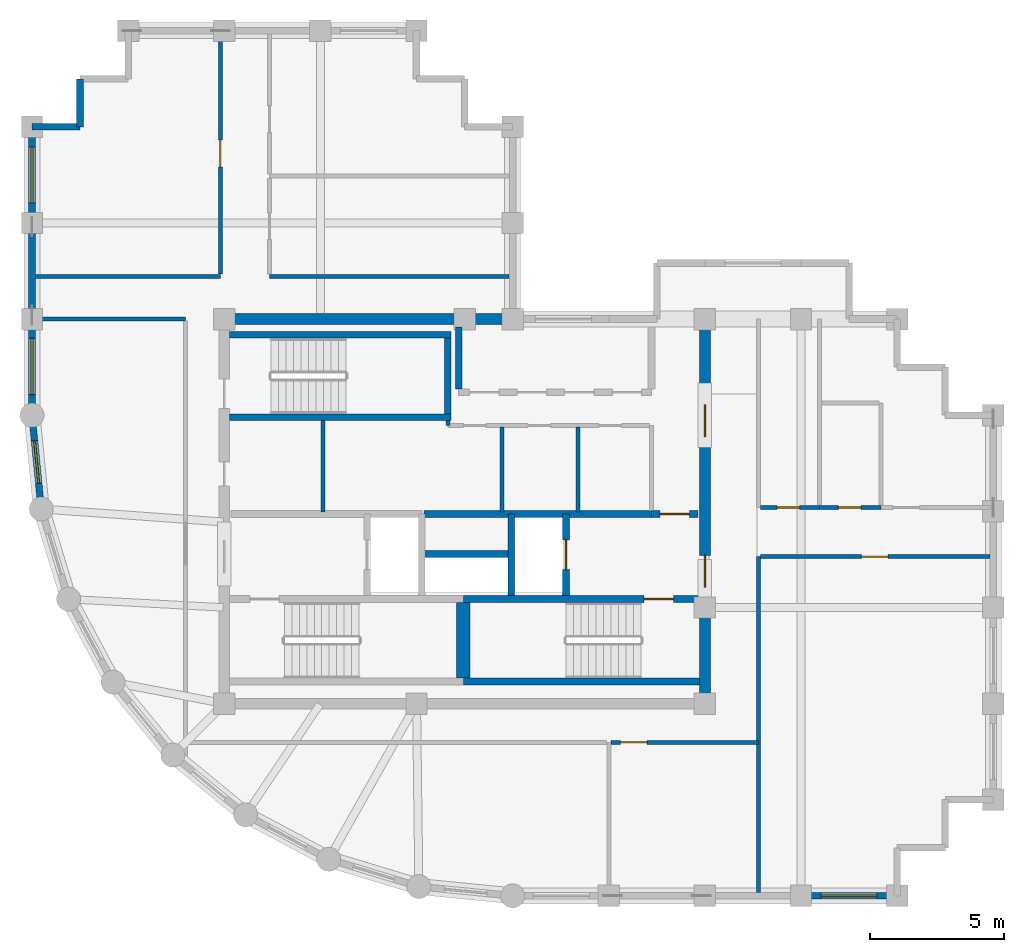
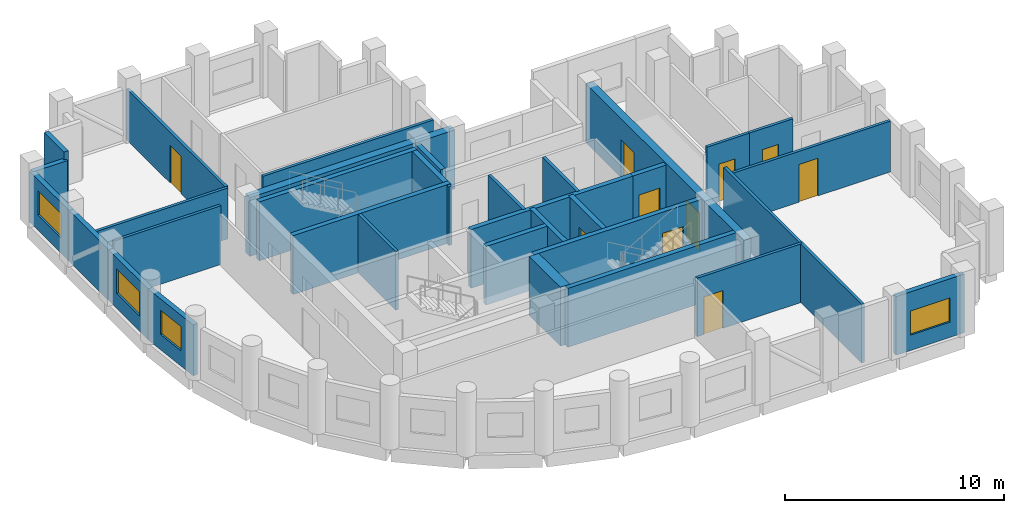
# One storey, part 3 of 6: 34 walls, 10 doors, 4 windows, 14 openings.
"""IFC4 building model written with IfcOpenShell, lengths in metres."""

from ifc_helpers import new_model, si_unit, direction, frame, frame_2d, origin, place, context, subcontext, project, spatial, rectangle, extrude, material, layer, layer_set, type_object, element, fill, save


model = new_model("IFC4")

# Units and contexts
model_context = context("Model", 3, precision=1e-05, world=origin(), true_north=direction((0.0, 1.0)))
body_context = subcontext(model_context, "Body", "Model", "MODEL_VIEW")
ifc_project = project(units=[si_unit("LENGTHUNIT", "METRE"), si_unit("AREAUNIT", "SQUARE_METRE"), si_unit("VOLUMEUNIT", "CUBIC_METRE"), si_unit("PLANEANGLEUNIT", "RADIAN"), si_unit("MASSUNIT", "GRAM", prefix="KILO")], contexts=[model_context])

# Site, building, storey
site_placement = place(None, origin())
site = spatial("IfcSite", under=ifc_project, at=site_placement, CompositionType="ELEMENT")
building_placement = place(site_placement, origin())
building = spatial("IfcBuilding", under=site, at=building_placement, Name="Solnavia Interchange Tower", CompositionType="ELEMENT")
storey_placement = place(building_placement, frame((0.0, 0.0, 246.199951171875)))
storey = spatial("IfcBuildingStorey", under=building, at=storey_placement, Name="L62", CompositionType="ELEMENT", Elevation=246.199951171875)

# Wall, opening, window
ifc_material_1 = material(Name="Concrete C40/50", Category="concrete")
ifc_layer_1 = layer(ifc_material_1, 0.25)
ifc_layer_set_1 = layer_set([ifc_layer_1], Name="Concrete C40/50")
wall_type_1 = type_object("IfcWallType", Name="Wall-ExtSpandrel-250", PredefinedType="STANDARD", material=ifc_layer_set_1)
wall_1_placement = place(storey_placement, frame((39.60009765625, 3.60009765625, 0.0), z_axis=(0.0, 0.0, 1.0), x_axis=(-1.0, 0.0, 0.0)))
wall_1 = element("IfcWall", 1, at=wall_1_placement, inside=storey, type_object=wall_type_1, Name="EXW-L62-04 Exterior precast spandrel wall", PredefinedType="STANDARD", context=body_context, shape_type="SweptSolid", body=[
    extrude(rectangle(XDim=3.60009765625, YDim=0.25, at=frame_2d((1.800048828125, 0.0))), origin(), (0.0, 0.0, 1.0), 3.26513671875),
])
opening_1_placement = place(wall_1_placement, frame((0.75, 0.0, 0.85009765625)))
opening_1 = element("IfcOpeningElement", 2, at=opening_1_placement, cuts=wall_1, Name="Opening WIN-01", PredefinedType="OPENING", context=body_context, shape_type="SweptSolid", body=[
    extrude(rectangle(XDim=2.10009765625, YDim=1.35009765625, at=frame_2d((1.050048828125, 0.675048828125))), frame((0.0, 0.135009765625, 0.0), z_axis=(0.0, -1.0, 0.0), x_axis=(1.0, 0.0, 0.0)), (0.0, 0.0, 1.0), 0.27001953125),
])
ifc_material_2 = material(Name="Thermal-Break Aluminium & Low-E Glass", Category="aluminium")
window_type_1 = type_object("IfcWindowType", Name="Window-Ribbon-2100x1350", PartitioningType="SINGLE_PANEL", PredefinedType="WINDOW", material=ifc_material_2)
window_1_placement = place(opening_1_placement, origin())
window_1 = element("IfcWindow", 3, at=window_1_placement, inside=storey, type_object=window_type_1, Name="WIN-L62-04 Facade ribbon window", OverallHeight=1.35009765625, OverallWidth=2.10009765625, PartitioningType="SINGLE_PANEL", PredefinedType="WINDOW", context=body_context, shape_type="SweptSolid", body=[
    extrude(rectangle(XDim=2.10009765625, YDim=1.35009765625, at=frame_2d((1.050048828125, 0.675048828125))), frame((0.0, 0.030029296875, 0.0), z_axis=(0.0, -1.0, 0.0), x_axis=(1.0, 0.0, 0.0)), (0.0, 0.0, 1.0), 0.06005859375),
])
fill(opening_1, window_1)

# Walls
wall_2_placement = place(storey_placement, frame((9.0, 32.39990234375, 0.0), z_axis=(0.0, 0.0, 1.0), x_axis=(0.0, 1.0, 0.0)))
element("IfcWall", 4, at=wall_2_placement, inside=storey, type_object=wall_type_1, Name="EXW-L62-36 Exterior precast spandrel wall", PredefinedType="STANDARD", context=body_context, shape_type="SweptSolid", body=[
    extrude(rectangle(XDim=1.800048828125, YDim=0.25, at=frame_2d((0.89990234375, 0.0))), origin(), (0.0, 0.0, 1.0), 3.26513671875),
])
wall_3_placement = place(storey_placement, frame((7.199951171875, 32.39990234375, 0.0), z_axis=(0.0, 0.0, 1.0), x_axis=(1.0, 0.0, 0.0)))
element("IfcWall", 5, at=wall_3_placement, inside=storey, type_object=wall_type_1, Name="EXW-L62-37 Exterior precast spandrel wall", PredefinedType="STANDARD", context=body_context, shape_type="SweptSolid", body=[
    extrude(rectangle(XDim=1.800048828125, YDim=0.25, at=frame_2d((0.89990234375, 0.0))), origin(), (0.0, 0.0, 1.0), 2.830078125),
])

# Wall, opening, window
wall_4_placement = place(storey_placement, frame((7.199951171875, 28.800048828125, 0.0), z_axis=(0.0, 0.0, 1.0), x_axis=(0.0, 1.0, 0.0)))
wall_4 = element("IfcWall", 6, at=wall_4_placement, inside=storey, type_object=wall_type_1, Name="EXW-L62-38 Exterior precast spandrel wall", PredefinedType="STANDARD", context=body_context, shape_type="SweptSolid", body=[
    extrude(rectangle(XDim=3.599853515625, YDim=0.25, at=frame_2d((1.7998046875, 0.0))), origin(), (0.0, 0.0, 1.0), 2.830078125),
])
opening_2_placement = place(wall_4_placement, frame((0.75, 0.0, 0.85009765625)))
opening_2 = element("IfcOpeningElement", 7, at=opening_2_placement, cuts=wall_4, Name="Opening WIN-01", PredefinedType="OPENING", context=body_context, shape_type="SweptSolid", body=[
    extrude(rectangle(XDim=2.10009765625, YDim=1.35009765625, at=frame_2d((1.050048828125, 0.675048828125))), frame((0.0, 0.135009765625, 0.0), z_axis=(0.0, -1.0, 0.0), x_axis=(1.0, 0.0, 0.0)), (0.0, 0.0, 1.0), 0.27001953125),
])
window_2_placement = place(opening_2_placement, origin())
window_2 = element("IfcWindow", 8, at=window_2_placement, inside=storey, type_object=window_type_1, Name="WIN-L62-38 Facade ribbon window", OverallHeight=1.35009765625, OverallWidth=2.10009765625, PartitioningType="SINGLE_PANEL", PredefinedType="WINDOW", context=body_context, shape_type="SweptSolid", body=[
    extrude(rectangle(XDim=2.10009765625, YDim=1.35009765625, at=frame_2d((1.050048828125, 0.675048828125))), frame((0.0, 0.030029296875, 0.0), z_axis=(0.0, -1.0, 0.0), x_axis=(1.0, 0.0, 0.0)), (0.0, 0.0, 1.0), 0.06005859375),
])
fill(opening_2, window_2)

# Wall
wall_5_placement = place(storey_placement, frame((7.199951171875, 25.199951171875, 0.0), z_axis=(0.0, 0.0, 1.0), x_axis=(0.0, 1.0, 0.0)))
element("IfcWall", 9, at=wall_5_placement, inside=storey, type_object=wall_type_1, Name="EXW-L62-39 Exterior precast spandrel wall", PredefinedType="STANDARD", context=body_context, shape_type="SweptSolid", body=[
    extrude(rectangle(XDim=3.60009765625, YDim=0.25, at=frame_2d((1.800048828125, 0.0))), origin(), (0.0, 0.0, 1.0), 2.830078125),
])

# Wall, opening, window
wall_6_placement = place(storey_placement, frame((7.199951171875, 21.60009765625, 0.0), z_axis=(0.0, 0.0, 1.0), x_axis=(0.0, 1.0, 0.0)))
wall_6 = element("IfcWall", 10, at=wall_6_placement, inside=storey, type_object=wall_type_1, Name="EXW-L62-40 Exterior precast spandrel wall", PredefinedType="STANDARD", context=body_context, shape_type="SweptSolid", body=[
    extrude(rectangle(XDim=3.599853515625, YDim=0.25, at=frame_2d((1.7998046875, 0.0))), origin(), (0.0, 0.0, 1.0), 2.830078125),
])
opening_3_placement = place(wall_6_placement, frame((0.77490234375, 0.0, 0.85009765625)))
opening_3 = element("IfcOpeningElement", 11, at=opening_3_placement, cuts=wall_6, Name="Opening WIN-01", PredefinedType="OPENING", context=body_context, shape_type="SweptSolid", body=[
    extrude(rectangle(XDim=2.10009765625, YDim=1.35009765625, at=frame_2d((1.050048828125, 0.675048828125))), frame((0.0, 0.135009765625, 0.0), z_axis=(0.0, -1.0, 0.0), x_axis=(1.0, 0.0, 0.0)), (0.0, 0.0, 1.0), 0.27001953125),
])
window_3_placement = place(opening_3_placement, origin())
window_3 = element("IfcWindow", 12, at=window_3_placement, inside=storey, type_object=window_type_1, Name="WIN-L62-40 Facade ribbon window", OverallHeight=1.35009765625, OverallWidth=2.10009765625, PartitioningType="SINGLE_PANEL", PredefinedType="WINDOW", context=body_context, shape_type="SweptSolid", body=[
    extrude(rectangle(XDim=2.10009765625, YDim=1.35009765625, at=frame_2d((1.050048828125, 0.675048828125))), frame((0.0, 0.030029296875, 0.0), z_axis=(0.0, -1.0, 0.0), x_axis=(1.0, 0.0, 0.0)), (0.0, 0.0, 1.0), 0.06005859375),
])
fill(opening_3, window_3)

wall_7_placement = place(storey_placement, frame((7.5458984375, 18.087890625, 0.0), z_axis=(0.0, 0.0, 1.0), x_axis=(-0.09802417461, 0.995184033831, 0.0)))
wall_7 = element("IfcWall", 13, at=wall_7_placement, inside=storey, type_object=wall_type_1, Name="EXW-L62-41 Exterior precast spandrel wall", PredefinedType="STANDARD", context=body_context, shape_type="SweptSolid", body=[
    extrude(rectangle(XDim=3.529296875, YDim=0.25, at=frame_2d((1.7646484375, 0.0))), origin(), (0.0, 0.0, 1.0), 2.830078125),
])
opening_4_placement = place(wall_7_placement, frame((0.965087890625, 0.0, 0.85009765625)))
opening_4 = element("IfcOpeningElement", 14, at=opening_4_placement, cuts=wall_7, Name="Opening WIN-04", PredefinedType="OPENING", context=body_context, shape_type="SweptSolid", body=[
    extrude(rectangle(XDim=1.60009765625, YDim=1.35009765625, at=frame_2d((0.800048828125, 0.675048828125))), frame((0.0, 0.135009765625, 0.0), z_axis=(0.0, -1.0, 0.0), x_axis=(1.0, 0.0, 0.0)), (0.0, 0.0, 1.0), 0.27001953125),
])
window_type_2 = type_object("IfcWindowType", Name="Window-Drum-1600x1350", PartitioningType="SINGLE_PANEL", PredefinedType="WINDOW", material=ifc_material_2)
window_4_placement = place(opening_4_placement, origin())
window_4 = element("IfcWindow", 15, at=window_4_placement, inside=storey, type_object=window_type_2, Name="WIN-L62-41 Facade ribbon window", OverallHeight=1.35009765625, OverallWidth=1.60009765625, PartitioningType="SINGLE_PANEL", PredefinedType="WINDOW", context=body_context, shape_type="SweptSolid", body=[
    extrude(rectangle(XDim=1.60009765625, YDim=1.35009765625, at=frame_2d((0.800048828125, 0.675048828125))), frame((0.0, 0.030029296875, 0.0), z_axis=(0.0, -1.0, 0.0), x_axis=(1.0, 0.0, 0.0)), (0.0, 0.0, 1.0), 0.06005859375),
])
fill(opening_4, window_4)

# Walls
ifc_material_3 = material(Name="Gypsum Plasterboard & Steel Stud", Category="steel")
ifc_layer_2 = layer(ifc_material_3, 0.14990234375)
ifc_layer_set_2 = layer_set([ifc_layer_2], Name="Gypsum Plasterboard & Steel Stud")
wall_type_2 = type_object("IfcWallType", Name="Wall-Partition-150", PredefinedType="PARTITIONING", material=ifc_layer_set_2)
wall_8_placement = place(storey_placement, frame((22.77490234375, 21.219970703125, 0.0), z_axis=(0.0, 0.0, 1.0), x_axis=(0.0, 1.0, 0.0)))
element("IfcWall", 16, at=wall_8_placement, inside=storey, type_object=wall_type_2, Name="CSW-L62-ST-TIE Core shaft wall", PredefinedType="PARTITIONING", context=body_context, shape_type="SweptSolid", body=[
    extrude(rectangle(XDim=0.175048828125, YDim=0.14990234375, at=frame_2d((0.08740234375, 0.0))), origin(), (0.0, 0.0, 1.0), 3.26513671875),
])
wall_9_placement = place(storey_placement, frame((18.10009765625, 17.97998046875, 0.0), z_axis=(0.0, 0.0, 1.0), x_axis=(0.0, 1.0, 0.0)))
element("IfcWall", 17, at=wall_9_placement, inside=storey, type_object=wall_type_2, Name="CSW-L62-M1 Core shaft wall", PredefinedType="PARTITIONING", context=body_context, shape_type="SweptSolid", body=[
    extrude(rectangle(XDim=3.419921875, YDim=0.14990234375, at=frame_2d((1.7099609375, 0.0))), origin(), (0.0, 0.0, 1.0), 3.26513671875),
])
for number, where, z_axis, x_axis, name in (
    (18, (24.800048828125, 17.97998046875, 0.0), (0.0, 0.0, 1.0), (0.0, 1.0, 0.0), "CSW-L62-M2 Core shaft wall"),
    (19, (27.64990234375, 17.97998046875, 0.0), (0.0, 0.0, 1.0), (0.0, 1.0, 0.0), "CSW-L62-M3 Core shaft wall"),
):
    element("IfcWall", number, at=place(storey_placement, frame(where, z_axis=z_axis, x_axis=x_axis)), inside=storey, type_object=wall_type_2, Name=name, PredefinedType="PARTITIONING", context=body_context, shape_type="SweptSolid", body=[
        extrude(rectangle(XDim=3.169921875, YDim=0.14990234375, at=frame_2d((1.5849609375, 0.0))), origin(), (0.0, 0.0, 1.0), 3.26513671875),
    ])
wall_10_placement = place(storey_placement, frame((7.3291015625, 25.199951171875, 0.0), z_axis=(0.0, 0.0, 1.0), x_axis=(1.0, 0.0, 0.0)))
element("IfcWall", 20, at=wall_10_placement, inside=storey, type_object=wall_type_2, Name="PTW-L62-07 Interior partition wall", PredefinedType="PARTITIONING", context=body_context, shape_type="SweptSolid", body=[
    extrude(rectangle(XDim=5.620849609375, YDim=0.14990234375, at=frame_2d((2.810546875, 0.0))), origin(), (0.0, 0.0, 1.0), 3.26513671875),
])

# Wall, opening, door
wall_11_placement = place(storey_placement, frame((28.87890625, 9.35009765625, 0.0), z_axis=(0.0, 0.0, 1.0), x_axis=(1.0, 0.0, 0.0)))
wall_11 = element("IfcWall", 21, at=wall_11_placement, inside=storey, type_object=wall_type_2, Name="PTW-L62-11 Interior partition wall", PredefinedType="PARTITIONING", context=body_context, shape_type="SweptSolid", body=[
    extrude(rectangle(XDim=5.52099609375, YDim=0.14990234375, at=frame_2d((2.760498046875, 0.0))), origin(), (0.0, 0.0, 1.0), 3.26513671875),
])
opening_5_placement = place(wall_11_placement, frame((0.360107421875, 0.0, 0.0)))
opening_5 = element("IfcOpeningElement", 22, at=opening_5_placement, cuts=wall_11, Name="Opening DR-07", PredefinedType="OPENING", context=body_context, shape_type="SweptSolid", body=[
    extrude(rectangle(XDim=1.0, YDim=2.10009765625, at=frame_2d((0.5, 1.050048828125))), frame((0.0, 0.0849609375, 0.0), z_axis=(0.0, -1.0, 0.0), x_axis=(1.0, 0.0, 0.0)), (0.0, 0.0, 1.0), 0.169921875),
])
ifc_material_4 = material(Name="Timber & Acoustic Glazed Office Door", Category="wood")
door_type_1 = type_object("IfcDoorType", Name="Door-Office-1000x2100", OperationType="SINGLE_SWING_RIGHT", PredefinedType="DOOR", material=ifc_material_4)
door_1_placement = place(opening_5_placement, origin())
door_1 = element("IfcDoor", 23, at=door_1_placement, inside=storey, type_object=door_type_1, Name="DR-L62-04 Interior room door", OperationType="SINGLE_SWING_LEFT", OverallHeight=2.10009765625, OverallWidth=1.0, PredefinedType="DOOR", context=body_context, shape_type="SweptSolid", body=[
    extrude(rectangle(XDim=1.0, YDim=2.10009765625, at=frame_2d((0.5, 1.050048828125))), frame((0.0, 0.02490234375, 0.0), z_axis=(0.0, -1.0, 0.0), x_axis=(1.0, 0.0, 0.0)), (0.0, 0.0, 1.0), 0.050048828125),
])
fill(opening_5, door_1)

# Wall
wall_12_placement = place(storey_placement, frame((34.39990234375, 3.72900390625, 0.0), z_axis=(0.0, 0.0, 1.0), x_axis=(0.0, 1.0, 0.0)))
element("IfcWall", 24, at=wall_12_placement, inside=storey, type_object=wall_type_2, Name="PTW-L62-12 Interior partition wall", PredefinedType="PARTITIONING", context=body_context, shape_type="SweptSolid", body=[
    extrude(rectangle(XDim=12.571044921875, YDim=0.14990234375, at=frame_2d((6.28564453125, 0.0))), origin(), (0.0, 0.0, 1.0), 3.26513671875),
])

# Wall, opening, door
wall_13_placement = place(storey_placement, frame((34.47900390625, 16.300048828125, 0.0), z_axis=(0.0, 0.0, 1.0), x_axis=(1.0, 0.0, 0.0)))
wall_13 = element("IfcWall", 25, at=wall_13_placement, inside=storey, type_object=wall_type_2, Name="PTW-L62-13 Interior partition wall", PredefinedType="PARTITIONING", context=body_context, shape_type="SweptSolid", body=[
    extrude(rectangle(XDim=8.592041015625, YDim=0.14990234375, at=frame_2d((4.2958984375, 0.0))), origin(), (0.0, 0.0, 1.0), 2.830078125),
])
opening_6_placement = place(wall_13_placement, frame((3.781005859375, 0.0, 0.0)))
opening_6 = element("IfcOpeningElement", 26, at=opening_6_placement, cuts=wall_13, Name="Opening DR-07", PredefinedType="OPENING", context=body_context, shape_type="SweptSolid", body=[
    extrude(rectangle(XDim=1.0, YDim=2.10009765625, at=frame_2d((0.5, 1.050048828125))), frame((0.0, 0.0849609375, 0.0), z_axis=(0.0, -1.0, 0.0), x_axis=(1.0, 0.0, 0.0)), (0.0, 0.0, 1.0), 0.169921875),
])
door_2_placement = place(opening_6_placement, origin())
door_2 = element("IfcDoor", 27, at=door_2_placement, inside=storey, type_object=door_type_1, Name="DR-L62-05 Interior room door", OperationType="SINGLE_SWING_LEFT", OverallHeight=2.10009765625, OverallWidth=1.0, PredefinedType="DOOR", context=body_context, shape_type="SweptSolid", body=[
    extrude(rectangle(XDim=1.0, YDim=2.10009765625, at=frame_2d((0.5, 1.050048828125))), frame((0.0, 0.02490234375, 0.0), z_axis=(0.0, -1.0, 0.0), x_axis=(1.0, 0.0, 0.0)), (0.0, 0.0, 1.0), 0.050048828125),
])
fill(opening_6, door_2)

# Wall
wall_14_placement = place(storey_placement, frame((7.3291015625, 26.800048828125, 0.0), z_axis=(0.0, 0.0, 1.0), x_axis=(1.0, 0.0, 0.0)))
element("IfcWall", 28, at=wall_14_placement, inside=storey, type_object=wall_type_2, Name="PTW-L62-15 Interior partition wall", PredefinedType="PARTITIONING", context=body_context, shape_type="SweptSolid", body=[
    extrude(rectangle(XDim=6.9208984375, YDim=0.14990234375, at=frame_2d((3.46044921875, 0.0))), origin(), (0.0, 0.0, 1.0), 2.830078125),
])

# Wall, opening, door
wall_15_placement = place(storey_placement, frame((14.25, 26.87890625, 0.0), z_axis=(0.0, 0.0, 1.0), x_axis=(0.0, 1.0, 0.0)))
wall_15 = element("IfcWall", 29, at=wall_15_placement, inside=storey, type_object=wall_type_2, Name="PTW-L62-16 Interior partition wall", PredefinedType="PARTITIONING", context=body_context, shape_type="SweptSolid", body=[
    extrude(rectangle(XDim=8.9921875, YDim=0.14990234375, at=frame_2d((4.49609375, 0.0))), origin(), (0.0, 0.0, 1.0), 2.830078125),
])
opening_7_placement = place(wall_15_placement, frame((4.02099609375, 0.0, 0.0)))
opening_7 = element("IfcOpeningElement", 30, at=opening_7_placement, cuts=wall_15, Name="Opening DR-07", PredefinedType="OPENING", context=body_context, shape_type="SweptSolid", body=[
    extrude(rectangle(XDim=1.0, YDim=2.10009765625, at=frame_2d((0.5, 1.050048828125))), frame((0.0, 0.0849609375, 0.0), z_axis=(0.0, -1.0, 0.0), x_axis=(1.0, 0.0, 0.0)), (0.0, 0.0, 1.0), 0.169921875),
])
door_3_placement = place(opening_7_placement, origin())
door_3 = element("IfcDoor", 31, at=door_3_placement, inside=storey, type_object=door_type_1, Name="DR-L62-07 Interior room door", OperationType="SINGLE_SWING_RIGHT", OverallHeight=2.10009765625, OverallWidth=1.0, PredefinedType="DOOR", context=body_context, shape_type="SweptSolid", body=[
    extrude(rectangle(XDim=1.0, YDim=2.10009765625, at=frame_2d((0.5, 1.050048828125))), frame((0.0, 0.02490234375, 0.0), z_axis=(0.0, -1.0, 0.0), x_axis=(1.0, 0.0, 0.0)), (0.0, 0.0, 1.0), 0.050048828125),
])
fill(opening_7, door_3)

# Walls
wall_16_placement = place(storey_placement, frame((16.10009765625, 26.800048828125, 0.0), z_axis=(0.0, 0.0, 1.0), x_axis=(1.0, 0.0, 0.0)))
element("IfcWall", 32, at=wall_16_placement, inside=storey, type_object=wall_type_2, Name="PTW-L62-17 Interior partition wall", PredefinedType="PARTITIONING", context=body_context, shape_type="SweptSolid", body=[
    extrude(rectangle(XDim=8.970947265625, YDim=0.14990234375, at=frame_2d((4.4853515625, 0.0))), origin(), (0.0, 0.0, 1.0), 2.830078125),
])
ifc_layer_3 = layer(ifc_material_1, 0.25)
ifc_layer_set_3 = layer_set([ifc_layer_3], Name="Concrete C40/50")
wall_type_3 = type_object("IfcWallType", Name="Wall-ShaftCore-250", PredefinedType="SHEAR", material=ifc_layer_set_3)
wall_17_placement = place(storey_placement, frame((23.35009765625, 11.625, 0.0), z_axis=(0.0, 0.0, 1.0), x_axis=(1.0, 0.0, 0.0)))
element("IfcWall", 33, at=wall_17_placement, inside=storey, type_object=wall_type_3, Name="SHW-L62-ST2S Core shear wall", PredefinedType="SHEAR", context=body_context, shape_type="SweptSolid", body=[
    extrude(rectangle(XDim=8.849853515625, YDim=0.25, at=frame_2d((4.4248046875, 0.0))), origin(), (0.0, 0.0, 1.0), 3.280029296875),
])

# Wall, opening, door
wall_18_placement = place(storey_placement, frame((23.35009765625, 14.715087890625, 0.0), z_axis=(0.0, 0.0, 1.0), x_axis=(1.0, 0.0, 0.0)))
wall_18 = element("IfcWall", 34, at=wall_18_placement, inside=storey, type_object=wall_type_3, Name="SHW-L62-ST2N Core shear wall", PredefinedType="SHEAR", context=body_context, shape_type="SweptSolid", body=[
    extrude(rectangle(XDim=8.849853515625, YDim=0.25, at=frame_2d((4.4248046875, 0.0))), origin(), (0.0, 0.0, 1.0), 3.280029296875),
])
opening_8_placement = place(wall_18_placement, frame((6.77490234375, 0.0, 0.0)))
opening_8 = element("IfcOpeningElement", 35, at=opening_8_placement, cuts=wall_18, Name="Opening DR-01", PredefinedType="OPENING", context=body_context, shape_type="SweptSolid", body=[
    extrude(rectangle(XDim=1.10009765625, YDim=2.10009765625, at=frame_2d((0.550048828125, 1.050048828125))), frame((0.0, 0.135009765625, 0.0), z_axis=(0.0, -1.0, 0.0), x_axis=(1.0, 0.0, 0.0)), (0.0, 0.0, 1.0), 0.27001953125),
])
ifc_material_5 = material(Name="Steel Fire-Rated Leaf & Frame", Category="steel")
door_type_2 = type_object("IfcDoorType", Name="Door-StairFire-1100x2100", OperationType="SINGLE_SWING_LEFT", PredefinedType="DOOR", material=ifc_material_5)
door_4_placement = place(opening_8_placement, origin())
door_4 = element("IfcDoor", 36, at=door_4_placement, inside=storey, type_object=door_type_2, Name="DR-L62-ST2 Core fire door", OperationType="SINGLE_SWING_LEFT", OverallHeight=2.10009765625, OverallWidth=1.10009765625, PredefinedType="DOOR", context=body_context, shape_type="SweptSolid", body=[
    extrude(rectangle(XDim=1.10009765625, YDim=2.10009765625, at=frame_2d((0.550048828125, 1.050048828125))), frame((0.0, 0.02490234375, 0.0), z_axis=(0.0, -1.0, 0.0), x_axis=(1.0, 0.0, 0.0)), (0.0, 0.0, 1.0), 0.050048828125),
])
fill(opening_8, door_4)

# Walls
for number, where, z_axis, x_axis, name in (
    (37, (14.60009765625, 21.52490234375, 0.0), (0.0, 0.0, 1.0), (1.0, 0.0, 0.0), "SHW-L62-ST3S Core shear wall"),
    (38, (14.60009765625, 24.614990234375, 0.0), (0.0, 0.0, 1.0), (1.0, 0.0, 0.0), "SHW-L62-ST3N Core shear wall"),
):
    element("IfcWall", number, at=place(storey_placement, frame(where, z_axis=z_axis, x_axis=x_axis)), inside=storey, type_object=wall_type_3, Name=name, PredefinedType="SHEAR", context=body_context, shape_type="SweptSolid", body=[
        extrude(rectangle(XDim=8.2998046875, YDim=0.25, at=frame_2d((4.14990234375, 0.0))), origin(), (0.0, 0.0, 1.0), 3.280029296875),
    ])
wall_19_placement = place(storey_placement, frame((22.77490234375, 21.64990234375, 0.0), z_axis=(0.0, 0.0, 1.0), x_axis=(0.0, 1.0, 0.0)))
element("IfcWall", 39, at=wall_19_placement, inside=storey, type_object=wall_type_3, Name="SHW-L62-ST3E Core shear wall", PredefinedType="SHEAR", context=body_context, shape_type="SweptSolid", body=[
    extrude(rectangle(XDim=2.840087890625, YDim=0.25, at=frame_2d((1.419921875, 0.0))), origin(), (0.0, 0.0, 1.0), 3.280029296875),
])
ifc_layer_4 = layer(ifc_material_1, 0.25)
ifc_layer_set_4 = layer_set([ifc_layer_4], Name="Concrete C40/50")
wall_type_4 = type_object("IfcWallType", Name="Wall-ShaftPart-250", PredefinedType="PARTITIONING", material=ifc_layer_set_4)
wall_20_placement = place(storey_placement, frame((21.8798828125, 17.89990234375, 0.0), z_axis=(0.0, 0.0, 1.0), x_axis=(1.0, 0.0, 0.0)))
element("IfcWall", 40, at=wall_20_placement, inside=storey, type_object=wall_type_4, Name="SHW-L62-FFLE-N1 Core shaft wall", PredefinedType="PARTITIONING", context=body_context, shape_type="SweptSolid", body=[
    extrude(rectangle(XDim=8.52001953125, YDim=0.25, at=frame_2d((4.260009765625, 0.0))), origin(), (0.0, 0.0, 1.0), 3.26513671875),
])

# Wall, opening, door
wall_21_placement = place(storey_placement, frame((30.39990234375, 17.89990234375, 0.0), z_axis=(0.0, 0.0, 1.0), x_axis=(1.0, 0.0, 0.0)))
wall_21 = element("IfcWall", 41, at=wall_21_placement, inside=storey, type_object=wall_type_4, Name="SHW-L62-FFLE-N2 Core shaft wall", PredefinedType="PARTITIONING", context=body_context, shape_type="SweptSolid", body=[
    extrude(rectangle(XDim=1.75, YDim=0.25, at=frame_2d((0.875, 0.0))), origin(), (0.0, 0.0, 1.0), 3.26513671875),
])
opening_9_placement = place(wall_21_placement, frame((0.320068359375, 0.0, 0.0)))
opening_9 = element("IfcOpeningElement", 42, at=opening_9_placement, cuts=wall_21, Name="Opening DR-01", PredefinedType="OPENING", context=body_context, shape_type="SweptSolid", body=[
    extrude(rectangle(XDim=1.10009765625, YDim=2.10009765625, at=frame_2d((0.550048828125, 1.050048828125))), frame((0.0, 0.135009765625, 0.0), z_axis=(0.0, -1.0, 0.0), x_axis=(1.0, 0.0, 0.0)), (0.0, 0.0, 1.0), 0.27001953125),
])
door_5_placement = place(opening_9_placement, origin())
door_5 = element("IfcDoor", 43, at=door_5_placement, inside=storey, type_object=door_type_2, Name="DR-L62-LLC Core fire door", OperationType="SINGLE_SWING_LEFT", OverallHeight=2.10009765625, OverallWidth=1.10009765625, PredefinedType="DOOR", context=body_context, shape_type="SweptSolid", body=[
    extrude(rectangle(XDim=1.10009765625, YDim=2.10009765625, at=frame_2d((0.550048828125, 1.050048828125))), frame((0.0, 0.02490234375, 0.0), z_axis=(0.0, -1.0, 0.0), x_axis=(1.0, 0.0, 0.0)), (0.0, 0.0, 1.0), 0.050048828125),
])
fill(opening_9, door_5)

# Wall
wall_22_placement = place(storey_placement, frame((25.14990234375, 14.840087890625, 0.0), z_axis=(0.0, 0.0, 1.0), x_axis=(0.0, 1.0, 0.0)))
element("IfcWall", 44, at=wall_22_placement, inside=storey, type_object=wall_type_4, Name="SHW-L62-FFL2-W Core shaft wall", PredefinedType="PARTITIONING", context=body_context, shape_type="SweptSolid", body=[
    extrude(rectangle(XDim=3.059814453125, YDim=0.25, at=frame_2d((1.52978515625, 0.0))), origin(), (0.0, 0.0, 1.0), 3.26513671875),
])

# Wall, opening, door
wall_23_placement = place(storey_placement, frame((27.199951171875, 14.840087890625, 0.0), z_axis=(0.0, 0.0, 1.0), x_axis=(0.0, 1.0, 0.0)))
wall_23 = element("IfcWall", 45, at=wall_23_placement, inside=storey, type_object=wall_type_4, Name="SHW-L62-FFL2-E Core shaft wall", PredefinedType="PARTITIONING", context=body_context, shape_type="SweptSolid", body=[
    extrude(rectangle(XDim=3.059814453125, YDim=0.25, at=frame_2d((1.52978515625, 0.0))), origin(), (0.0, 0.0, 1.0), 3.26513671875),
])
opening_10_placement = place(wall_23_placement, frame((0.97998046875, 0.0, 0.0)))
opening_10 = element("IfcOpeningElement", 46, at=opening_10_placement, cuts=wall_23, Name="Opening LD-01", PredefinedType="OPENING", context=body_context, shape_type="SweptSolid", body=[
    extrude(rectangle(XDim=1.10009765625, YDim=2.10009765625, at=frame_2d((0.550048828125, 1.050048828125))), frame((0.0, 0.135009765625, 0.0), z_axis=(0.0, -1.0, 0.0), x_axis=(1.0, 0.0, 0.0)), (0.0, 0.0, 1.0), 0.27001953125),
])
ifc_material_6 = material(Name="Brushed Stainless Steel Sliding Door", Category="steel")
door_type_3 = type_object("IfcDoorType", Name="Door-LiftLanding-1100x2100", OperationType="SLIDING_TO_LEFT", PredefinedType="DOOR", material=ifc_material_6)
door_6_placement = place(opening_10_placement, origin())
door_6 = element("IfcDoor", 47, at=door_6_placement, inside=storey, type_object=door_type_3, Name="LD-L62-FFL2 Lift landing sliding door", OperationType="SLIDING_TO_LEFT", OverallHeight=2.10009765625, OverallWidth=1.10009765625, PredefinedType="DOOR", context=body_context, shape_type="SweptSolid", body=[
    extrude(rectangle(XDim=1.10009765625, YDim=2.10009765625, at=frame_2d((0.550048828125, 1.050048828125))), frame((0.0, 0.02490234375, 0.0), z_axis=(0.0, -1.0, 0.0), x_axis=(1.0, 0.0, 0.0)), (0.0, 0.0, 1.0), 0.050048828125),
])
fill(opening_10, door_6)

# Walls
wall_24_placement = place(storey_placement, frame((21.800048828125, 16.39990234375, 0.0), z_axis=(0.0, 0.0, 1.0), x_axis=(1.0, 0.0, 0.0)))
element("IfcWall", 48, at=wall_24_placement, inside=storey, type_object=wall_type_4, Name="SHW-L62-MEP-N Core shaft wall", PredefinedType="PARTITIONING", context=body_context, shape_type="SweptSolid", body=[
    extrude(rectangle(XDim=3.349853515625, YDim=0.25, at=frame_2d((1.6748046875, 0.0))), origin(), (0.0, 0.0, 1.0), 3.26513671875),
])
wall_25_placement = place(storey_placement, frame((23.179931640625, 22.5849609375, 0.0), z_axis=(0.0, 0.0, 1.0), x_axis=(0.0, 1.0, 0.0)))
element("IfcWall", 49, at=wall_25_placement, inside=storey, type_object=wall_type_4, Name="SHW-L62-B3W Core shaft wall", PredefinedType="PARTITIONING", context=body_context, shape_type="SweptSolid", body=[
    extrude(rectangle(XDim=2.31494140625, YDim=0.25, at=frame_2d((1.157470703125, 0.0))), origin(), (0.0, 0.0, 1.0), 3.26513671875),
])
ifc_material_7 = material(Name="Concrete C50/60", Category="concrete")
ifc_layer_5 = layer(ifc_material_7, 0.39990234375)
ifc_layer_set_5 = layer_set([ifc_layer_5], Name="Concrete C50/60")
wall_type_5 = type_object("IfcWallType", Name="Wall-ShearCore-400", PredefinedType="SHEAR", material=ifc_layer_set_5)
wall_26_placement = place(storey_placement, frame((14.39990234375, 25.199951171875, 0.0), z_axis=(0.0, 0.0, 1.0), x_axis=(1.0, 0.0, 0.0)))
element("IfcWall", 50, at=wall_26_placement, inside=storey, type_object=wall_type_5, Name="CRW-L62-N Core shear wall", PredefinedType="SHEAR", context=body_context, shape_type="SweptSolid", body=[
    extrude(rectangle(XDim=10.800048828125, YDim=0.39990234375, at=frame_2d((5.39990234375, 0.0))), origin(), (0.0, 0.0, 1.0), 3.280029296875),
])

# Wall, openings, doors
wall_27_placement = place(storey_placement, frame((32.39990234375, 10.800048828125, 0.0), z_axis=(0.0, 0.0, 1.0), x_axis=(0.0, 1.0, 0.0)))
wall_27 = element("IfcWall", 51, at=wall_27_placement, inside=storey, type_object=wall_type_5, Name="CRW-L62-E Core shear wall", PredefinedType="SHEAR", context=body_context, shape_type="SweptSolid", body=[
    extrude(rectangle(XDim=14.39990234375, YDim=0.39990234375, at=frame_2d((7.199951171875, 0.0))), origin(), (0.0, 0.0, 1.0), 3.280029296875),
])
opening_11_placement = place(wall_27_placement, frame((4.35009765625, 0.0, 0.0)))
opening_11 = element("IfcOpeningElement", 52, at=opening_11_placement, cuts=wall_27, Name="Opening DR-02", PredefinedType="OPENING", context=body_context, shape_type="SweptSolid", body=[
    extrude(rectangle(XDim=1.199951171875, YDim=2.10009765625, at=frame_2d((0.60009765625, 1.050048828125))), frame((0.0, 0.2099609375, 0.0), z_axis=(0.0, -1.0, 0.0), x_axis=(1.0, 0.0, 0.0)), (0.0, 0.0, 1.0), 0.419921875),
])
opening_12_placement = place(wall_27_placement, frame((10.0, 0.0, 0.0)))
opening_12 = element("IfcOpeningElement", 53, at=opening_12_placement, cuts=wall_27, Name="Opening DR-02", PredefinedType="OPENING", context=body_context, shape_type="SweptSolid", body=[
    extrude(rectangle(XDim=1.199951171875, YDim=2.10009765625, at=frame_2d((0.60009765625, 1.050048828125))), frame((0.0, 0.2099609375, 0.0), z_axis=(0.0, -1.0, 0.0), x_axis=(1.0, 0.0, 0.0)), (0.0, 0.0, 1.0), 0.419921875),
])
ifc_material_8 = material(Name="Steel Fire-Rated Vision-Panel Door", Category="steel")
door_type_4 = type_object("IfcDoorType", Name="Door-LobbyFire-1200x2100", OperationType="SINGLE_SWING_RIGHT", PredefinedType="DOOR", material=ifc_material_8)
door_7_placement = place(opening_11_placement, origin())
door_7 = element("IfcDoor", 54, at=door_7_placement, inside=storey, type_object=door_type_4, Name="DR-L62-FFL2E Core fire door", OperationType="SINGLE_SWING_LEFT", OverallHeight=2.10009765625, OverallWidth=1.199951171875, PredefinedType="DOOR", context=body_context, shape_type="SweptSolid", body=[
    extrude(rectangle(XDim=1.199951171875, YDim=2.10009765625, at=frame_2d((0.60009765625, 1.050048828125))), frame((0.0, 0.02490234375, 0.0), z_axis=(0.0, -1.0, 0.0), x_axis=(1.0, 0.0, 0.0)), (0.0, 0.0, 1.0), 0.050048828125),
])
fill(opening_11, door_7)
door_8_placement = place(opening_12_placement, origin())
door_8 = element("IfcDoor", 55, at=door_8_placement, inside=storey, type_object=door_type_4, Name="DR-L62-LLE Core fire door", OperationType="SINGLE_SWING_RIGHT", OverallHeight=2.10009765625, OverallWidth=1.199951171875, PredefinedType="DOOR", context=body_context, shape_type="SweptSolid", body=[
    extrude(rectangle(XDim=1.199951171875, YDim=2.10009765625, at=frame_2d((0.60009765625, 1.050048828125))), frame((0.0, 0.02490234375, 0.0), z_axis=(0.0, -1.0, 0.0), x_axis=(1.0, 0.0, 0.0)), (0.0, 0.0, 1.0), 0.050048828125),
])
fill(opening_12, door_8)

# Wall
ifc_material_9 = material(Name="Concrete C60/75", Category="concrete")
ifc_layer_6 = layer(ifc_material_9, 0.5)
ifc_layer_set_6 = layer_set([ifc_layer_6], Name="Concrete C60/75")
wall_type_6 = type_object("IfcWallType", Name="Wall-ShearCore-500", PredefinedType="SHEAR", material=ifc_layer_set_6)
wall_28_placement = place(storey_placement, frame((23.35009765625, 11.75, 0.0), z_axis=(0.0, 0.0, 1.0), x_axis=(0.0, 1.0, 0.0)))
element("IfcWall", 56, at=wall_28_placement, inside=storey, type_object=wall_type_6, Name="SHW-L62-ST12M Core shear wall", PredefinedType="SHEAR", context=body_context, shape_type="SweptSolid", body=[
    extrude(rectangle(XDim=2.840087890625, YDim=0.5, at=frame_2d((1.419921875, 0.0))), origin(), (0.0, 0.0, 1.0), 3.280029296875),
])

# Wall, opening, door
ifc_material_10 = material(Name="Moisture-Resistant Gypsum & Steel Stud", Category="steel")
ifc_layer_7 = layer(ifc_material_10, 0.14990234375)
ifc_layer_set_7 = layer_set([ifc_layer_7], Name="Moisture-Resistant Gypsum & Steel Stud")
wall_type_7 = type_object("IfcWallType", Name="Wall-WetRoom-150", PredefinedType="PARTITIONING", material=ifc_layer_set_7)
wall_29_placement = place(storey_placement, frame((34.47900390625, 18.14990234375, 0.0), z_axis=(0.0, 0.0, 1.0), x_axis=(1.0, 0.0, 0.0)))
wall_29 = element("IfcWall", 57, at=wall_29_placement, inside=storey, type_object=wall_type_7, Name="PTW-L62-02 Interior partition wall", PredefinedType="PARTITIONING", context=body_context, shape_type="SweptSolid", body=[
    extrude(rectangle(XDim=2.220947265625, YDim=0.14990234375, at=frame_2d((1.1103515625, 0.0))), origin(), (0.0, 0.0, 1.0), 3.26513671875),
])
opening_13_placement = place(wall_29_placement, frame((0.617919921875, 0.0, 0.0)))
opening_13 = element("IfcOpeningElement", 58, at=opening_13_placement, cuts=wall_29, Name="Opening DR-10", PredefinedType="OPENING", context=body_context, shape_type="SweptSolid", body=[
    extrude(rectangle(XDim=0.85009765625, YDim=2.10009765625, at=frame_2d((0.425048828125, 1.050048828125))), frame((0.0, 0.0849609375, 0.0), z_axis=(0.0, -1.0, 0.0), x_axis=(1.0, 0.0, 0.0)), (0.0, 0.0, 1.0), 0.169921875),
])
ifc_material_11 = material(Name="Moisture-Resistant Timber Door", Category="wood")
door_type_5 = type_object("IfcDoorType", Name="Door-Bathroom-850x2100", OperationType="SINGLE_SWING_RIGHT", PredefinedType="DOOR", material=ifc_material_11)
door_9_placement = place(opening_13_placement, origin())
door_9 = element("IfcDoor", 59, at=door_9_placement, inside=storey, type_object=door_type_5, Name="DR-L62-01 Interior room door", OperationType="SINGLE_SWING_LEFT", OverallHeight=2.10009765625, OverallWidth=0.85009765625, PredefinedType="DOOR", context=body_context, shape_type="SweptSolid", body=[
    extrude(rectangle(XDim=0.85009765625, YDim=2.10009765625, at=frame_2d((0.425048828125, 1.050048828125))), frame((0.0, 0.02490234375, 0.0), z_axis=(0.0, -1.0, 0.0), x_axis=(1.0, 0.0, 0.0)), (0.0, 0.0, 1.0), 0.050048828125),
])
fill(opening_13, door_9)

wall_30_placement = place(storey_placement, frame((36.699951171875, 18.14990234375, 0.0), z_axis=(0.0, 0.0, 1.0), x_axis=(1.0, 0.0, 0.0)))
wall_30 = element("IfcWall", 60, at=wall_30_placement, inside=storey, type_object=wall_type_7, Name="PTW-L62-04 Interior partition wall", PredefinedType="PARTITIONING", context=body_context, shape_type="SweptSolid", body=[
    extrude(rectangle(XDim=2.300048828125, YDim=0.14990234375, at=frame_2d((1.14990234375, 0.0))), origin(), (0.0, 0.0, 1.0), 3.26513671875),
])
opening_14_placement = place(wall_30_placement, frame((0.697021484375, 0.0, 0.0)))
opening_14 = element("IfcOpeningElement", 61, at=opening_14_placement, cuts=wall_30, Name="Opening DR-10", PredefinedType="OPENING", context=body_context, shape_type="SweptSolid", body=[
    extrude(rectangle(XDim=0.85009765625, YDim=2.10009765625, at=frame_2d((0.425048828125, 1.050048828125))), frame((0.0, 0.0849609375, 0.0), z_axis=(0.0, -1.0, 0.0), x_axis=(1.0, 0.0, 0.0)), (0.0, 0.0, 1.0), 0.169921875),
])
door_10_placement = place(opening_14_placement, origin())
door_10 = element("IfcDoor", 62, at=door_10_placement, inside=storey, type_object=door_type_5, Name="DR-L62-02 Interior room door", OperationType="SINGLE_SWING_RIGHT", OverallHeight=2.10009765625, OverallWidth=0.85009765625, PredefinedType="DOOR", context=body_context, shape_type="SweptSolid", body=[
    extrude(rectangle(XDim=0.85009765625, YDim=2.10009765625, at=frame_2d((0.425048828125, 1.050048828125))), frame((0.0, 0.02490234375, 0.0), z_axis=(0.0, -1.0, 0.0), x_axis=(1.0, 0.0, 0.0)), (0.0, 0.0, 1.0), 0.050048828125),
])
fill(opening_14, door_10)

save(model, "model.ifc")
